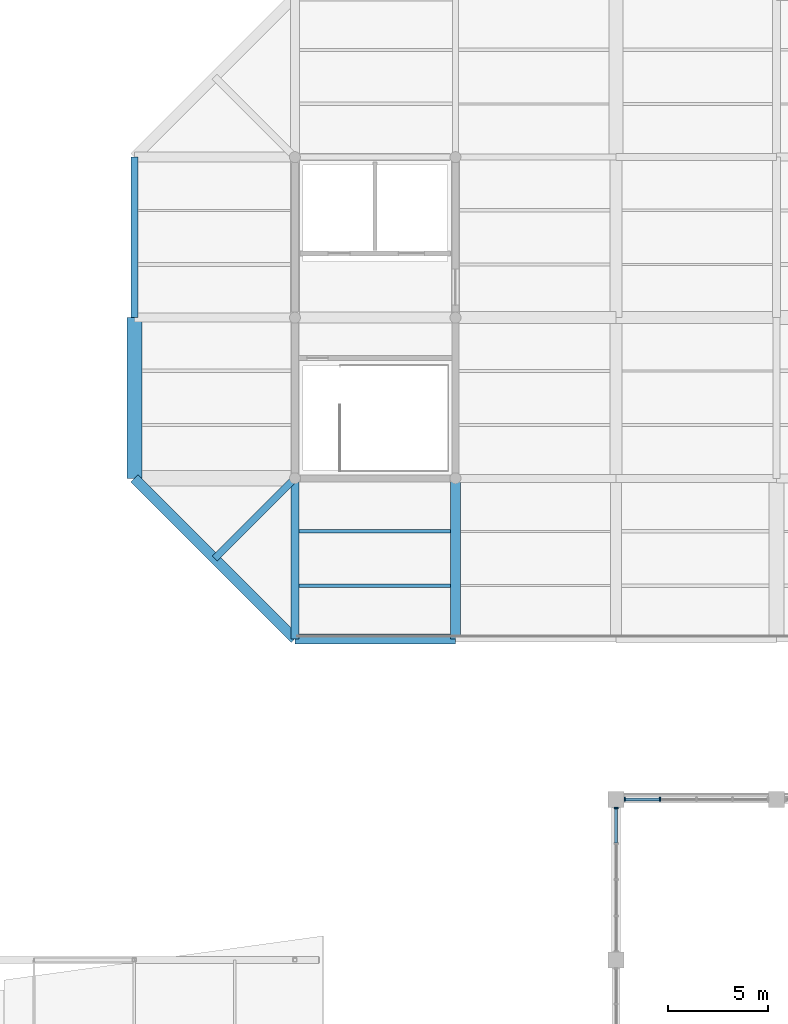
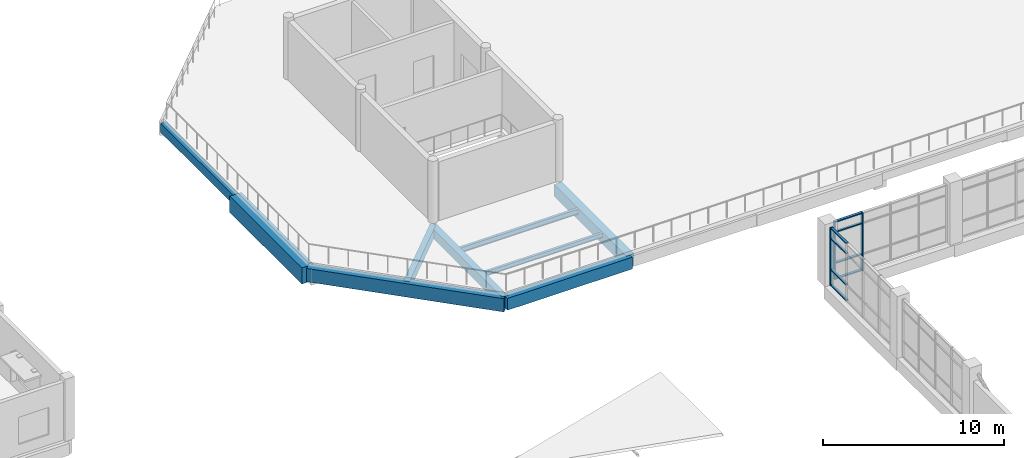
# One storey, part 35 of 84: 11 members, 9 beams, 2 elements without a shape of their own.
"""IFC4 building model written with IfcOpenShell, lengths in metres."""

import ifcopenshell
import ifcopenshell.guid

model = None  # the IFC model being written
_history = None  # IfcOwnerHistory: only IFC2X3 demands one
_inside = {}  # id of a spatial element -> (the spatial element, [elements in it])
_under = {}  # id of a project, library or spatial element -> (it, [spatial elements below it])
_declared = {}  # id of a project -> (the project, [libraries it declares])
_typed = {}  # id of a type object -> (the type object, [elements of that type])
_made_of = {}  # id of a material, layer set ... -> (it, [elements and type objects made of it])


def new_model(schema):
    """Start an empty IFC model of exactly this schema.

    Asked for "IFC4X3", IfcOpenShell would pick the latest addendum, in which some entities
    have other attributes; the version numbers below select the first issue.
    IFC2X3 requires an IfcOwnerHistory on every rooted entity: one is made here for all.
    """
    global model, _history
    if schema == "IFC4X3":
        model = ifcopenshell.file(schema_version=(4, 3, 0, 0))
    else:
        model = ifcopenshell.file(schema=schema)
    _inside.clear()
    _under.clear()
    _declared.clear()
    _typed.clear()
    _made_of.clear()
    _history = None
    if model.schema == "IFC2X3":
        org = make("IfcOrganization", Name="unknown")
        user = make(
            "IfcPersonAndOrganization",
            ThePerson=make("IfcPerson", FamilyName="unknown"),
            TheOrganization=org,
        )
        app = make(
            "IfcApplication",
            ApplicationDeveloper=org,
            Version="unknown",
            ApplicationFullName="unknown",
            ApplicationIdentifier="unknown",
        )
        _history = make(
            "IfcOwnerHistory",
            OwningUser=user,
            OwningApplication=app,
            ChangeAction="ADDED",
            CreationDate=0,
        )
    return model


def make(cls, **values):
    """One entity of the class cls with the attributes given. An attribute that is None is left unset."""
    return model.create_entity(
        cls, **{name: value for name, value in values.items() if value is not None}
    )


def rooted(cls, **values):
    """An entity with a GlobalId (a new one), such as an element, a storey or a relation."""
    return make(cls, GlobalId=ifcopenshell.guid.new(), OwnerHistory=_history, **values)


def si_unit(unit_type, name, prefix=None):
    """IfcSIUnit, for example si_unit("LENGTHUNIT", "METRE", prefix="MILLI")."""
    return make("IfcSIUnit", UnitType=unit_type, Prefix=prefix, Name=name)


def assignment(units):
    """IfcUnitAssignment: the units of a project."""
    return None if units is None else make("IfcUnitAssignment", Units=units)


def point(xyz):
    """IfcCartesianPoint."""
    return None if xyz is None else make("IfcCartesianPoint", Coordinates=xyz)


def direction(xyz):
    """IfcDirection."""
    return None if xyz is None else make("IfcDirection", DirectionRatios=xyz)


def frame(location, z_axis=None, x_axis=None):
    """IfcAxis2Placement3D, a coordinate frame: its origin and axes. An axis left out is left unset."""
    return make(
        "IfcAxis2Placement3D",
        Location=point(location),
        Axis=direction(z_axis),
        RefDirection=direction(x_axis),
    )


def frame_2d(location, x_axis=None):
    """IfcAxis2Placement2D, a coordinate frame in the plane: its origin and x axis."""
    return make(
        "IfcAxis2Placement2D", Location=point(location), RefDirection=direction(x_axis)
    )


def origin():
    """The frame at (0, 0, 0) with its axes left unset."""
    return frame((0.0, 0.0, 0.0))


def origin_2d():
    """The frame at (0, 0) in the plane with its x axis left unset."""
    return frame_2d((0.0, 0.0))


def place(relative_to, where):
    """IfcLocalPlacement: puts the frame where relative to a parent placement (None: the world)."""
    return make(
        "IfcLocalPlacement", PlacementRelTo=relative_to, RelativePlacement=where
    )


def context(
    kind, dimensions, precision=None, world=None, true_north=None, identifier=None
):
    """IfcGeometricRepresentationContext, for example the 3D "Model" context."""
    return make(
        "IfcGeometricRepresentationContext",
        ContextIdentifier=identifier,
        ContextType=kind,
        CoordinateSpaceDimension=dimensions,
        Precision=precision,
        WorldCoordinateSystem=world,
        TrueNorth=true_north,
    )


def subcontext(parent, identifier, kind, view, scale=None):
    """IfcGeometricRepresentationSubContext, for example "Body" below "Model"."""
    return make(
        "IfcGeometricRepresentationSubContext",
        ContextIdentifier=identifier,
        ContextType=kind,
        ParentContext=parent,
        TargetScale=scale,
        TargetView=view,
    )


def project(units=None, contexts=None):
    """IfcProject with its units and contexts."""
    return rooted(
        "IfcProject",
        Name="project",
        RepresentationContexts=contexts,
        UnitsInContext=assignment(units),
    )


def spatial(cls, under=None, at=None, **own):
    """A site, building, storey or space (cls), placed at a placement, below another one or the project."""
    s = rooted(cls, ObjectPlacement=at, **own)
    if under is not None:
        _under.setdefault(under.id(), (under, []))[1].append(s)
    return s


def profile(cls, at=None, kind="AREA", **sizes):
    """A parametric profile (cls). Its sizes go by their IFC names, for example OverallWidth=200.0."""
    return make(cls, ProfileType=kind, Position=at, **sizes)


def rectangle(**sizes):
    """IfcRectangleProfileDef."""
    return profile("IfcRectangleProfileDef", **sizes)


def i_section(**sizes):
    """IfcIShapeProfileDef."""
    return profile("IfcIShapeProfileDef", **sizes)


def extrude(swept, where, along, depth):
    """IfcExtrudedAreaSolid: the profile swept, set in the frame where, extruded along a direction by depth."""
    return make(
        "IfcExtrudedAreaSolid",
        SweptArea=swept,
        Position=where,
        ExtrudedDirection=direction(along),
        Depth=depth,
    )


def shape(context_of_items, identifier, shape_type, items):
    """IfcShapeRepresentation: the items that make up one representation, for example the "Body"."""
    return make(
        "IfcShapeRepresentation",
        ContextOfItems=context_of_items,
        RepresentationIdentifier=identifier,
        RepresentationType=shape_type,
        Items=items,
    )


def material(Name=None, Category=None):
    """IfcMaterial."""
    return make("IfcMaterial", Name=Name, Category=Category)


def material_profile(
    of_material, cross_section, Name=None, Category=None, Priority=None
):
    """IfcMaterialProfile: a cross section and its material."""
    return make(
        "IfcMaterialProfile",
        Name=Name,
        Material=of_material,
        Profile=cross_section,
        Priority=Priority,
        Category=Category,
    )


def profile_set(profiles, Name=None, composite=None):
    """IfcMaterialProfileSet."""
    return make(
        "IfcMaterialProfileSet",
        Name=Name,
        MaterialProfiles=profiles,
        CompositeProfile=composite,
    )


def made_of(thing, what):
    """Note that an element or type object is made of a material, layer set ...; save() writes the relation."""
    if what is not None:
        _made_of.setdefault(what.id(), (what, []))[1].append(thing)
    return thing


def type_object(cls, material=None, **own):
    """A type object (cls), such as IfcWallType, which elements share."""
    return made_of(rooted(cls, **own), material)


def element(
    cls,
    number,
    at=None,
    inside=None,
    cuts=None,
    type_object=None,
    material=None,
    context=None,
    identifier="Body",
    shape_type=None,
    held_by="IfcProductDefinitionShape",
    body=None,
    shapes=None,
    **own,
):
    """One element of the class cls, such as IfcWall. Its Tag is "e" and its number.

    at: its placement. inside: the storey or other place that contains it. cuts: it is an
    opening in that element (IfcRelVoidsElement). A single representation is given by context,
    identifier, shape_type and body (its items); several are given by shapes. held_by: the class
    of the entity that holds the representations. save() writes the other relations.
    """
    e = rooted(cls, Tag="e%d" % number, ObjectPlacement=at, **own)
    if body is not None:
        shapes = [shape(context, identifier, shape_type, body)]
    if shapes is not None:
        e.Representation = make(held_by, Representations=shapes)
    if inside is not None:
        _inside.setdefault(inside.id(), (inside, []))[1].append(e)
    if cuts is not None:
        rooted(
            "IfcRelVoidsElement", RelatingBuildingElement=cuts, RelatedOpeningElement=e
        )
    if type_object is not None:
        _typed.setdefault(type_object.id(), (type_object, []))[1].append(e)
    return made_of(e, material)


def aggregate(whole, parts):
    """IfcRelAggregates: a whole, such as a stair, and the parts it consists of."""
    return rooted("IfcRelAggregates", RelatingObject=whole, RelatedObjects=parts)


def save(model, path):
    """Write the relations noted so far, then the file.

    IfcRelAggregates (storeys below a building ...), IfcRelContainedInSpatialStructure (elements
    in a storey), IfcRelDefinesByType, IfcRelAssociatesMaterial and IfcRelDeclares: one each for
    every whole, place, type object, material and project.
    """
    for whole, parts in _under.values():
        aggregate(whole, parts)
    for where, things in _inside.values():
        rooted(
            "IfcRelContainedInSpatialStructure",
            RelatedElements=things,
            RelatingStructure=where,
        )
    for kind, things in _typed.values():
        rooted("IfcRelDefinesByType", RelatedObjects=things, RelatingType=kind)
    for what, things in _made_of.values():
        rooted("IfcRelAssociatesMaterial", RelatedObjects=things, RelatingMaterial=what)
    for by, libraries in _declared.values():
        rooted("IfcRelDeclares", RelatingContext=by, RelatedDefinitions=libraries)
    model.write(path)


model = new_model("IFC4")

# Units and contexts
model_context = context("Model", 3, precision=1e-05, world=origin(), true_north=direction((0.0, 1.0)))
body_context = subcontext(model_context, "Body", "Model", "MODEL_VIEW")
ifc_project = project(units=[si_unit("LENGTHUNIT", "METRE"), si_unit("AREAUNIT", "SQUARE_METRE"), si_unit("VOLUMEUNIT", "CUBIC_METRE"), si_unit("PLANEANGLEUNIT", "RADIAN"), si_unit("MASSUNIT", "GRAM", prefix="KILO")], contexts=[model_context])

# Site, building, storey
site_placement = place(None, origin())
site = spatial("IfcSite", under=ifc_project, at=site_placement, CompositionType="ELEMENT")
building_placement = place(site_placement, origin())
building = spatial("IfcBuilding", under=site, at=building_placement, Name="Tenunan Teduh Sports Hall", CompositionType="ELEMENT")
storey_placement = place(building_placement, frame((0.0, 0.0, 10.800048828125)))
storey = spatial("IfcBuildingStorey", under=building, at=storey_placement, Name="L02", CompositionType="ELEMENT", Elevation=10.800048828125)

# Beams
ifc_material_1 = material(Name="Concrete C40/50", Category="concrete")
ifc_material_profile_1 = material_profile(ifc_material_1, rectangle(XDim=0.35009765625, YDim=0.60009765625, at=origin_2d()), Name="RCB 350x600")
ifc_profile_set_1 = profile_set([ifc_material_profile_1], Name="Concrete C40/50")
beam_type_1 = type_object("IfcBeamType", Name="BM-RC-350x600", PredefinedType="BEAM", material=ifc_profile_set_1)
beam_1_placement = place(storey_placement, frame((98.0, 102.0, -0.56005859375), z_axis=(0.0, 1.0, 0.0), x_axis=(-1.0, 0.0, 0.0)))
element("IfcBeam", 1, at=beam_1_placement, inside=storey, type_object=beam_type_1, Name="BM-B-04-L02-1624", PredefinedType="BEAM", context=body_context, shape_type="SweptSolid", body=[
    extrude(rectangle(XDim=0.35009765625, YDim=0.60009765625, at=origin_2d()), origin(), (0.0, 0.0, 1.0), 8.0),
])
beam_2_placement = place(storey_placement, frame((106.0, 94.0, -0.56005859375), z_axis=(-0.707106781187, -0.707106781187, 0.0), x_axis=(0.707106781187, -0.707106781187, 0.0)))
element("IfcBeam", 2, at=beam_2_placement, inside=storey, type_object=beam_type_1, Name="BM-B-04-L02-2239", PredefinedType="BEAM", context=body_context, shape_type="SweptSolid", body=[
    extrude(rectangle(XDim=0.35009765625, YDim=0.60009765625, at=origin_2d()), origin(), (0.0, 0.0, 1.0), 5.65673828125),
])
ifc_material_2 = material(Name="Concrete C40/50", Category="concrete")
ifc_material_profile_2 = material_profile(ifc_material_2, rectangle(XDim=0.39990234375, YDim=0.64990234375, at=origin_2d()), Name="RCB 400x650")
ifc_profile_set_2 = profile_set([ifc_material_profile_2], Name="Concrete C40/50")
beam_type_2 = type_object("IfcBeamType", Name="BM-RC-400x650", PredefinedType="BEAM", material=ifc_profile_set_2)
beam_3_placement = place(storey_placement, frame((106.0, 86.0, -0.5849609375), z_axis=(0.0, 1.0, 0.0), x_axis=(-1.0, 0.0, 0.0)))
element("IfcBeam", 3, at=beam_3_placement, inside=storey, type_object=beam_type_2, Name="BM-B-07-L02-1625", PredefinedType="BEAM", context=body_context, shape_type="SweptSolid", body=[
    extrude(rectangle(XDim=0.39990234375, YDim=0.64990234375, at=origin_2d()), origin(), (0.0, 0.0, 1.0), 8.0),
])
ifc_material_3 = material(Name="Concrete C40/50", Category="concrete")
ifc_material_profile_3 = material_profile(ifc_material_3, rectangle(XDim=0.5, YDim=0.800048828125, at=origin_2d()), Name="RCB 500x800")
ifc_profile_set_3 = profile_set([ifc_material_profile_3], Name="Concrete C40/50")
beam_type_3 = type_object("IfcBeamType", Name="BM-RC-500x800", PredefinedType="BEAM", material=ifc_profile_set_3)
for number, where, z_axis, x_axis, name in (
    (4, (106.0, 86.0, -0.66015625), (1.0, 0.0, 0.0), (0.0, 1.0, 0.0), "BM-B-14-L02-1500"),
    (5, (114.0, 86.0, -0.66015625), (0.0, 1.0, 0.0), (-1.0, 0.0, 0.0), "BM-B-14-L02-1629"),
):
    element("IfcBeam", number, at=place(storey_placement, frame(where, z_axis=z_axis, x_axis=x_axis)), inside=storey, type_object=beam_type_3, Name=name, PredefinedType="BEAM", context=body_context, shape_type="SweptSolid", body=[
        extrude(rectangle(XDim=0.5, YDim=0.800048828125, at=origin_2d()), origin(), (0.0, 0.0, 1.0), 8.0),
    ])
ifc_material_4 = material(Name="Concrete C40/50", Category="concrete")
ifc_material_profile_4 = material_profile(ifc_material_4, rectangle(XDim=0.5, YDim=0.89990234375, at=origin_2d()), Name="RCB 500x900")
ifc_profile_set_4 = profile_set([ifc_material_profile_4], Name="Concrete C40/50")
beam_type_4 = type_object("IfcBeamType", Name="BM-RC-500x900", PredefinedType="BEAM", material=ifc_profile_set_4)
beam_4_placement = place(storey_placement, frame((98.0, 94.0, -0.7099609375), z_axis=(0.707106781187, -0.707106781187, 0.0), x_axis=(0.707106781187, 0.707106781187, 0.0)))
element("IfcBeam", 6, at=beam_4_placement, inside=storey, type_object=beam_type_4, Name="BM-B-15-L02-0604", PredefinedType="BEAM", context=body_context, shape_type="SweptSolid", body=[
    extrude(rectangle(XDim=0.5, YDim=0.89990234375, at=origin_2d()), origin(), (0.0, 0.0, 1.0), 11.313720703125),
])
ifc_material_5 = material(Name="Concrete C40/50", Category="concrete")
ifc_material_profile_5 = material_profile(ifc_material_5, rectangle(XDim=0.75, YDim=1.10009765625, at=origin_2d()), Name="RCB 750x1100")
ifc_profile_set_5 = profile_set([ifc_material_profile_5], Name="Concrete C40/50")
beam_type_5 = type_object("IfcBeamType", Name="BM-RC-750x1100", PredefinedType="SPANDREL", material=ifc_profile_set_5)
beam_5_placement = place(storey_placement, frame((98.0, 94.0, -0.81005859375), z_axis=(0.0, 1.0, 0.0), x_axis=(-1.0, 0.0, 0.0)))
element("IfcBeam", 7, at=beam_5_placement, inside=storey, type_object=beam_type_5, Name="BM-B-20-L02-1623", PredefinedType="SPANDREL", context=body_context, shape_type="SweptSolid", body=[
    extrude(rectangle(XDim=0.75, YDim=1.10009765625, at=origin_2d()), origin(), (0.0, 0.0, 1.0), 8.0),
])

# Curtain wall, members
ifc_material_6 = material(Name="Anodised aluminium", Category="aluminium")
curtain_wall_type = type_object("IfcCurtainWallType", Name="CW-UNIT-2", PredefinedType="NOTDEFINED", material=ifc_material_6)
curtain_wall_1_placement = place(storey_placement, origin())
curtain_wall_1 = element("IfcCurtainWall", 8, at=curtain_wall_1_placement, inside=storey, type_object=curtain_wall_type, Name="CW-CWM-200-L02-128", PredefinedType="NOTDEFINED")
ifc_material_7 = material(Name="Anodised aluminium", Category="aluminium")
ifc_material_profile_6 = material_profile(ifc_material_7, rectangle(XDim=0.070068359375, YDim=0.199951171875, at=origin_2d()), Name="CWM 70x200")
ifc_profile_set_6 = profile_set([ifc_material_profile_6], Name="Anodised aluminium")
member_type_1 = type_object("IfcMemberType", Name="CWM-200", PredefinedType="MULLION", material=ifc_profile_set_6)
member_1_placement = place(storey_placement, frame((122.43505859375, 78.0, 0.0), z_axis=(0.0, 0.0, 1.0), x_axis=(1.0, 0.0, 0.0)))
member_1 = element("IfcMember", 9, at=member_1_placement, type_object=member_type_1, Name="CW-02 mullion 1", PredefinedType="MULLION", context=body_context, shape_type="SweptSolid", body=[
    extrude(rectangle(XDim=0.070068359375, YDim=0.199951171875, at=origin_2d()), origin(), (0.0, 0.0, 1.0), 3.919921875),
])
member_2_placement = place(storey_placement, frame((124.199951171875, 78.0, 0.0), z_axis=(0.0, 0.0, 1.0), x_axis=(1.0, 0.0, 0.0)))
member_2 = element("IfcMember", 10, at=member_2_placement, type_object=member_type_1, Name="CW-02 mullion 2", PredefinedType="MULLION", context=body_context, shape_type="SweptSolid", body=[
    extrude(rectangle(XDim=0.070068359375, YDim=0.199951171875, at=origin_2d()), origin(), (0.0, 0.0, 1.0), 3.919921875),
])

# Curtain wall, member
curtain_wall_2_placement = place(storey_placement, origin())
curtain_wall_2 = element("IfcCurtainWall", 11, at=curtain_wall_2_placement, inside=storey, type_object=curtain_wall_type, Name="CW-CWM-200-L02-136", PredefinedType="NOTDEFINED")
member_3_placement = place(storey_placement, frame((122.0, 77.56494140625, 0.0), z_axis=(0.0, 0.0, 1.0), x_axis=(0.0, 1.0, 0.0)))
member_3 = element("IfcMember", 12, at=member_3_placement, type_object=member_type_1, Name="CW-02 mullion 5", PredefinedType="MULLION", context=body_context, shape_type="SweptSolid", body=[
    extrude(rectangle(XDim=0.070068359375, YDim=0.199951171875, at=origin_2d()), origin(), (0.0, 0.0, 1.0), 3.919921875),
])

# Member
ifc_material_8 = material(Name="Anodised aluminium", Category="aluminium")
ifc_material_profile_7 = material_profile(ifc_material_8, rectangle(XDim=0.070068359375, YDim=0.159912109375, at=origin_2d()), Name="CWT 70x160")
ifc_profile_set_7 = profile_set([ifc_material_profile_7], Name="Anodised aluminium")
member_type_2 = type_object("IfcMemberType", Name="CWT-200", PredefinedType="USERDEFINED", material=ifc_profile_set_7)
member_4_placement = place(storey_placement, frame((122.469970703125, 78.0, 0.034912109375), z_axis=(1.0, 0.0, 0.0), x_axis=(0.0, 0.0, 1.0)))
member_4 = element("IfcMember", 13, at=member_4_placement, type_object=member_type_2, Name="CW-02 transom 1.1", ObjectType="TRANSOM", PredefinedType="USERDEFINED", context=body_context, shape_type="SweptSolid", body=[
    extrude(rectangle(XDim=0.070068359375, YDim=0.159912109375, at=origin_2d()), origin(), (0.0, 0.0, 1.0), 1.695068359375),
])

member_5_placement = place(storey_placement, frame((122.469970703125, 78.0, 1.099853515625), z_axis=(1.0, 0.0, 0.0), x_axis=(0.0, 0.0, 1.0)))
member_5 = element("IfcMember", 14, at=member_5_placement, type_object=member_type_2, Name="CW-02 transom 1.2", ObjectType="TRANSOM", PredefinedType="USERDEFINED", context=body_context, shape_type="SweptSolid", body=[
    extrude(rectangle(XDim=0.070068359375, YDim=0.159912109375, at=origin_2d()), origin(), (0.0, 0.0, 1.0), 1.695068359375),
])

member_6_placement = place(storey_placement, frame((122.469970703125, 78.0, 3.199951171875), z_axis=(1.0, 0.0, 0.0), x_axis=(0.0, 0.0, 1.0)))
member_6 = element("IfcMember", 15, at=member_6_placement, type_object=member_type_2, Name="CW-02 transom 1.3", ObjectType="TRANSOM", PredefinedType="USERDEFINED", context=body_context, shape_type="SweptSolid", body=[
    extrude(rectangle(XDim=0.070068359375, YDim=0.159912109375, at=origin_2d()), origin(), (0.0, 0.0, 1.0), 1.695068359375),
])

member_7_placement = place(storey_placement, frame((122.469970703125, 78.0, 3.885009765625), z_axis=(1.0, 0.0, 0.0), x_axis=(0.0, 0.0, 1.0)))
member_7 = element("IfcMember", 16, at=member_7_placement, type_object=member_type_2, Name="CW-02 transom 1.4", ObjectType="TRANSOM", PredefinedType="USERDEFINED", context=body_context, shape_type="SweptSolid", body=[
    extrude(rectangle(XDim=0.070068359375, YDim=0.159912109375, at=origin_2d()), origin(), (0.0, 0.0, 1.0), 1.695068359375),
])

aggregate(curtain_wall_1, [member_1, member_2, member_4, member_5, member_6, member_7])

member_8_placement = place(storey_placement, frame((122.0, 75.8349609375, 0.034912109375), z_axis=(0.0, 1.0, 0.0), x_axis=(0.0, 0.0, 1.0)))
member_8 = element("IfcMember", 17, at=member_8_placement, type_object=member_type_2, Name="CW-02 transom 4.1", ObjectType="TRANSOM", PredefinedType="USERDEFINED", context=body_context, shape_type="SweptSolid", body=[
    extrude(rectangle(XDim=0.070068359375, YDim=0.159912109375, at=origin_2d()), origin(), (0.0, 0.0, 1.0), 1.695068359375),
])

member_9_placement = place(storey_placement, frame((122.0, 75.8349609375, 1.099853515625), z_axis=(0.0, 1.0, 0.0), x_axis=(0.0, 0.0, 1.0)))
member_9 = element("IfcMember", 18, at=member_9_placement, type_object=member_type_2, Name="CW-02 transom 4.2", ObjectType="TRANSOM", PredefinedType="USERDEFINED", context=body_context, shape_type="SweptSolid", body=[
    extrude(rectangle(XDim=0.070068359375, YDim=0.159912109375, at=origin_2d()), origin(), (0.0, 0.0, 1.0), 1.695068359375),
])

member_10_placement = place(storey_placement, frame((122.0, 75.8349609375, 3.199951171875), z_axis=(0.0, 1.0, 0.0), x_axis=(0.0, 0.0, 1.0)))
member_10 = element("IfcMember", 19, at=member_10_placement, type_object=member_type_2, Name="CW-02 transom 4.3", ObjectType="TRANSOM", PredefinedType="USERDEFINED", context=body_context, shape_type="SweptSolid", body=[
    extrude(rectangle(XDim=0.070068359375, YDim=0.159912109375, at=origin_2d()), origin(), (0.0, 0.0, 1.0), 1.695068359375),
])

member_11_placement = place(storey_placement, frame((122.0, 75.8349609375, 3.885009765625), z_axis=(0.0, 1.0, 0.0), x_axis=(0.0, 0.0, 1.0)))
member_11 = element("IfcMember", 20, at=member_11_placement, type_object=member_type_2, Name="CW-02 transom 4.4", ObjectType="TRANSOM", PredefinedType="USERDEFINED", context=body_context, shape_type="SweptSolid", body=[
    extrude(rectangle(XDim=0.070068359375, YDim=0.159912109375, at=origin_2d()), origin(), (0.0, 0.0, 1.0), 1.695068359375),
])

aggregate(curtain_wall_2, [member_3, member_8, member_9, member_10, member_11])

# Beams
ifc_material_9 = material(Name="Steel S355", Category="steel")
ifc_material_profile_8 = material_profile(ifc_material_9, i_section(OverallWidth=0.1650390625, OverallDepth=0.303466796875, WebThickness=0.006103515625, FlangeThickness=0.01025390625, FilletRadius=0.0087890625, at=origin_2d()), Name="UKB 305x165x40")
ifc_profile_set_8 = profile_set([ifc_material_profile_8], Name="Steel S355")
beam_type_6 = type_object("IfcBeamType", Name="SBM-UKB305", PredefinedType="BEAM", material=ifc_profile_set_8)
beam_6_placement = place(storey_placement, frame((106.199951171875, 88.64990234375, -0.411865234375), z_axis=(1.0, 0.0, 0.0), x_axis=(0.0, 1.0, 0.0)))
element("IfcBeam", 21, at=beam_6_placement, inside=storey, type_object=beam_type_6, Name="BM-SB-01-L02-1754", PredefinedType="BEAM", context=body_context, shape_type="SweptSolid", body=[
    extrude(i_section(OverallWidth=0.1650390625, OverallDepth=0.303466796875, WebThickness=0.006103515625, FlangeThickness=0.01025390625, FilletRadius=0.0087890625, at=origin_2d()), origin(), (0.0, 0.0, 1.0), 7.550048828125),
])
ifc_material_10 = material(Name="Steel S355", Category="steel")
ifc_material_profile_9 = material_profile(ifc_material_10, i_section(OverallWidth=0.17138671875, OverallDepth=0.35498046875, WebThickness=0.00732421875, FlangeThickness=0.011474609375, FilletRadius=0.01025390625, at=origin_2d()), Name="UKB 356x171x51")
ifc_profile_set_9 = profile_set([ifc_material_profile_9], Name="Steel S355")
beam_type_7 = type_object("IfcBeamType", Name="SBM-UKB356", PredefinedType="BEAM", material=ifc_profile_set_9)
beam_7_placement = place(storey_placement, frame((106.199951171875, 91.35009765625, -0.4375), z_axis=(1.0, 0.0, 0.0), x_axis=(0.0, 1.0, 0.0)))
element("IfcBeam", 22, at=beam_7_placement, inside=storey, type_object=beam_type_7, Name="BM-SB-02-L02-1755", PredefinedType="BEAM", context=body_context, shape_type="SweptSolid", body=[
    extrude(i_section(OverallWidth=0.17138671875, OverallDepth=0.35498046875, WebThickness=0.00732421875, FlangeThickness=0.011474609375, FilletRadius=0.01025390625, at=origin_2d()), origin(), (0.0, 0.0, 1.0), 7.550048828125),
])

save(model, "model.ifc")
